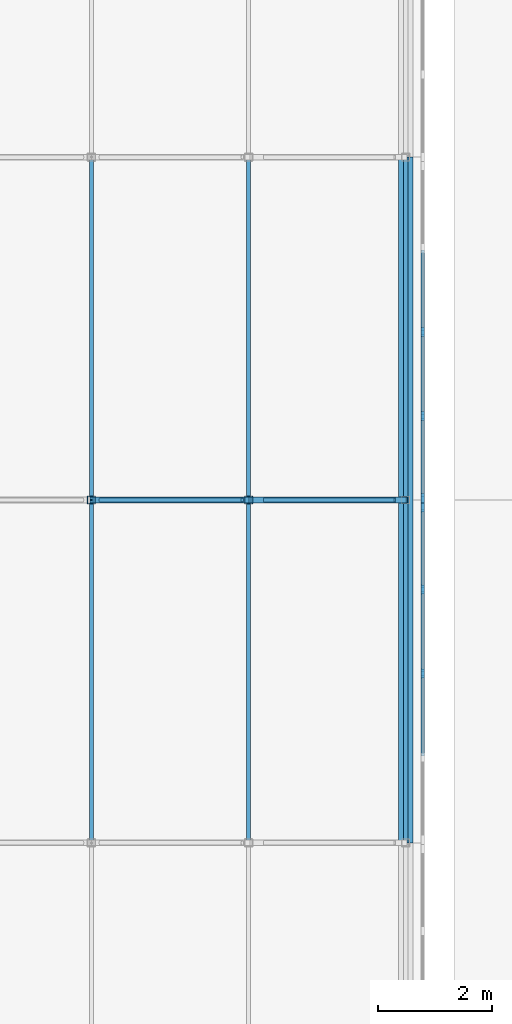
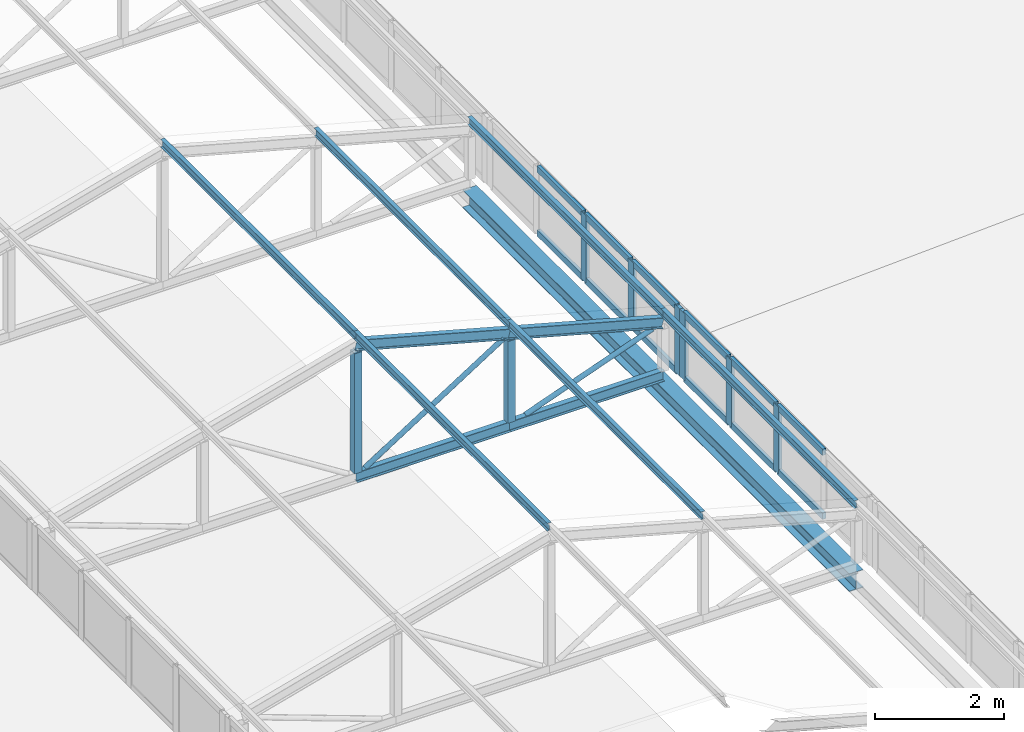
# One storey, part 36 of 94: 32 members, 1 beam, 2 elements without a shape of their own.
"""IFC4 building model written with IfcOpenShell, lengths in metres."""

from ifc_helpers import new_model, si_unit, direction, frame, origin, origin_2d, place, context, subcontext, project, spatial, rectangle, hollow_rectangle, hollow_circle, i_section, extrude, material, layer, layer_set, material_profile, profile_set, type_object, element, aggregate, save


model = new_model("IFC4")

# Units and contexts
model_context = context("Model", 3, precision=1e-05, world=origin(), true_north=direction((0.0, 1.0)))
body_context = subcontext(model_context, "Body", "Model", "MODEL_VIEW")
ifc_project = project(units=[si_unit("LENGTHUNIT", "METRE"), si_unit("AREAUNIT", "SQUARE_METRE"), si_unit("VOLUMEUNIT", "CUBIC_METRE"), si_unit("PLANEANGLEUNIT", "RADIAN"), si_unit("MASSUNIT", "GRAM", prefix="KILO")], contexts=[model_context])

# Site, building, storey
site_placement = place(None, origin())
site = spatial("IfcSite", under=ifc_project, at=site_placement, CompositionType="ELEMENT")
building_placement = place(site_placement, origin())
building = spatial("IfcBuilding", under=site, at=building_placement, Name="Lilac Gate Convention Centre", CompositionType="ELEMENT")
storey_placement = place(building_placement, frame((0.0, 0.0, 21.0)))
storey = spatial("IfcBuildingStorey", under=building, at=storey_placement, Name="L04", CompositionType="ELEMENT", Elevation=21.0)

# Curtain wall, members
ifc_material_1 = material(Name="Aluminium framed double glazing", Category="aluminium")
ifc_layer = layer(ifc_material_1, 0.199951171875)
ifc_layer_set = layer_set([ifc_layer], Name="Aluminium framed double glazing")
curtain_wall_type = type_object("IfcCurtainWallType", Name="Unitised curtain wall 1500", PredefinedType="NOTDEFINED", material=ifc_layer_set)
curtain_wall_1_placement = place(storey_placement, origin())
curtain_wall_1 = element("IfcCurtainWall", 1, at=curtain_wall_1_placement, inside=storey, type_object=curtain_wall_type, Name="Lantern clerestory E 18", PredefinedType="NOTDEFINED")
ifc_material_2 = material(Name="Aluminium alloy 6063", Category="aluminium")
ifc_material_profile_1 = material_profile(ifc_material_2, rectangle(XDim=0.06005859375, YDim=0.159912109375, at=origin_2d()), Name="Curtain wall mullion 60 x 160")
ifc_profile_set_1 = profile_set([ifc_material_profile_1], Name="Aluminium alloy 6063")
member_type_1 = type_object("IfcMemberType", Name="Curtain wall mullion 60 x 160", PredefinedType="MULLION", material=ifc_profile_set_1)
member_1_placement = place(storey_placement, frame((28.89990234375, 134.96240234375, 0.0), z_axis=(0.0, 0.0, 1.0), x_axis=(-1.0, 0.0, 0.0)))
member_1 = element("IfcMember", 2, at=member_1_placement, type_object=member_type_1, Name="CW mullion 3", PredefinedType="MULLION", context=body_context, shape_type="SweptSolid", body=[
    extrude(rectangle(XDim=0.06005859375, YDim=0.159912109375, at=origin_2d()), origin(), (0.0, 0.0, 1.0), 1.272216796875),
])
member_2_placement = place(storey_placement, frame((28.89990234375, 136.43115234375, 0.0), z_axis=(0.0, 0.0, 1.0), x_axis=(-1.0, 0.0, 0.0)))
member_2 = element("IfcMember", 3, at=member_2_placement, type_object=member_type_1, Name="CW mullion 4", PredefinedType="MULLION", context=body_context, shape_type="SweptSolid", body=[
    extrude(rectangle(XDim=0.06005859375, YDim=0.159912109375, at=origin_2d()), origin(), (0.0, 0.0, 1.0), 1.272216796875),
])
member_3_placement = place(storey_placement, frame((28.89990234375, 137.869873046875, 0.0), z_axis=(0.0, 0.0, 1.0), x_axis=(-1.0, 0.0, 0.0)))
member_3 = element("IfcMember", 4, at=member_3_placement, type_object=member_type_1, Name="CW mullion 5", PredefinedType="MULLION", context=body_context, shape_type="SweptSolid", body=[
    extrude(rectangle(XDim=0.06005859375, YDim=0.159912109375, at=origin_2d()), origin(), (0.0, 0.0, 1.0), 1.272216796875),
])

curtain_wall_2_placement = place(storey_placement, origin())
curtain_wall_2 = element("IfcCurtainWall", 5, at=curtain_wall_2_placement, inside=storey, type_object=curtain_wall_type, Name="Lantern clerestory E 19", PredefinedType="NOTDEFINED")
member_4_placement = place(storey_placement, frame((28.89990234375, 138.030029296875, 0.0), z_axis=(0.0, 0.0, 1.0), x_axis=(-1.0, 0.0, 0.0)))
member_4 = element("IfcMember", 6, at=member_4_placement, type_object=member_type_1, Name="CW mullion 1", PredefinedType="MULLION", context=body_context, shape_type="SweptSolid", body=[
    extrude(rectangle(XDim=0.06005859375, YDim=0.159912109375, at=origin_2d()), origin(), (0.0, 0.0, 1.0), 1.272216796875),
])
member_5_placement = place(storey_placement, frame((28.89990234375, 139.46875, 0.0), z_axis=(0.0, 0.0, 1.0), x_axis=(-1.0, 0.0, 0.0)))
member_5 = element("IfcMember", 7, at=member_5_placement, type_object=member_type_1, Name="CW mullion 2", PredefinedType="MULLION", context=body_context, shape_type="SweptSolid", body=[
    extrude(rectangle(XDim=0.06005859375, YDim=0.159912109375, at=origin_2d()), origin(), (0.0, 0.0, 1.0), 1.272216796875),
])
member_6_placement = place(storey_placement, frame((28.89990234375, 140.9375, 0.0), z_axis=(0.0, 0.0, 1.0), x_axis=(-1.0, 0.0, 0.0)))
member_6 = element("IfcMember", 8, at=member_6_placement, type_object=member_type_1, Name="CW mullion 3", PredefinedType="MULLION", context=body_context, shape_type="SweptSolid", body=[
    extrude(rectangle(XDim=0.06005859375, YDim=0.159912109375, at=origin_2d()), origin(), (0.0, 0.0, 1.0), 1.272216796875),
])

# Member
ifc_material_profile_2 = material_profile(ifc_material_2, rectangle(XDim=0.06005859375, YDim=0.1201171875, at=origin_2d()), Name="Curtain wall transom 60 x 120")
ifc_profile_set_2 = profile_set([ifc_material_profile_2], Name="Aluminium alloy 6063")
member_type_2 = type_object("IfcMemberType", Name="Curtain wall transom 60 x 120", PredefinedType="USERDEFINED", material=ifc_profile_set_2)
member_7_placement = place(storey_placement, frame((28.89990234375, 133.523681640625, 0.030029296875), z_axis=(0.0, 1.0, 0.0), x_axis=(-1.0, 0.0, 0.0)))
member_7 = element("IfcMember", 9, at=member_7_placement, type_object=member_type_2, Name="CW transom 2.1", ObjectType="TRANSOM", PredefinedType="USERDEFINED", context=body_context, shape_type="SweptSolid", body=[
    extrude(rectangle(XDim=0.06005859375, YDim=0.1201171875, at=origin_2d()), origin(), (0.0, 0.0, 1.0), 1.40869140625),
])

member_8_placement = place(storey_placement, frame((28.89990234375, 133.523681640625, 1.2421875), z_axis=(0.0, 1.0, 0.0), x_axis=(-1.0, 0.0, 0.0)))
member_8 = element("IfcMember", 10, at=member_8_placement, type_object=member_type_2, Name="CW transom 2.2", ObjectType="TRANSOM", PredefinedType="USERDEFINED", context=body_context, shape_type="SweptSolid", body=[
    extrude(rectangle(XDim=0.06005859375, YDim=0.1201171875, at=origin_2d()), origin(), (0.0, 0.0, 1.0), 1.40869140625),
])

member_9_placement = place(storey_placement, frame((28.89990234375, 134.992431640625, 0.030029296875), z_axis=(0.0, 1.0, 0.0), x_axis=(-1.0, 0.0, 0.0)))
member_9 = element("IfcMember", 11, at=member_9_placement, type_object=member_type_2, Name="CW transom 3.1", ObjectType="TRANSOM", PredefinedType="USERDEFINED", context=body_context, shape_type="SweptSolid", body=[
    extrude(rectangle(XDim=0.06005859375, YDim=0.1201171875, at=origin_2d()), origin(), (0.0, 0.0, 1.0), 1.40869140625),
])

member_10_placement = place(storey_placement, frame((28.89990234375, 134.992431640625, 1.2421875), z_axis=(0.0, 1.0, 0.0), x_axis=(-1.0, 0.0, 0.0)))
member_10 = element("IfcMember", 12, at=member_10_placement, type_object=member_type_2, Name="CW transom 3.2", ObjectType="TRANSOM", PredefinedType="USERDEFINED", context=body_context, shape_type="SweptSolid", body=[
    extrude(rectangle(XDim=0.06005859375, YDim=0.1201171875, at=origin_2d()), origin(), (0.0, 0.0, 1.0), 1.40869140625),
])

member_11_placement = place(storey_placement, frame((28.89990234375, 136.461181640625, 0.030029296875), z_axis=(0.0, 1.0, 0.0), x_axis=(-1.0, 0.0, 0.0)))
member_11 = element("IfcMember", 13, at=member_11_placement, type_object=member_type_2, Name="CW transom 4.1", ObjectType="TRANSOM", PredefinedType="USERDEFINED", context=body_context, shape_type="SweptSolid", body=[
    extrude(rectangle(XDim=0.06005859375, YDim=0.1201171875, at=origin_2d()), origin(), (0.0, 0.0, 1.0), 1.378662109375),
])

member_12_placement = place(storey_placement, frame((28.89990234375, 136.461181640625, 1.2421875), z_axis=(0.0, 1.0, 0.0), x_axis=(-1.0, 0.0, 0.0)))
member_12 = element("IfcMember", 14, at=member_12_placement, type_object=member_type_2, Name="CW transom 4.2", ObjectType="TRANSOM", PredefinedType="USERDEFINED", context=body_context, shape_type="SweptSolid", body=[
    extrude(rectangle(XDim=0.06005859375, YDim=0.1201171875, at=origin_2d()), origin(), (0.0, 0.0, 1.0), 1.378662109375),
])

aggregate(curtain_wall_1, [member_1, member_2, member_3, member_7, member_8, member_9, member_10, member_11, member_12])

member_13_placement = place(storey_placement, frame((28.89990234375, 138.06005859375, 0.030029296875), z_axis=(0.0, 1.0, 0.0), x_axis=(-1.0, 0.0, 0.0)))
member_13 = element("IfcMember", 15, at=member_13_placement, type_object=member_type_2, Name="CW transom 1.1", ObjectType="TRANSOM", PredefinedType="USERDEFINED", context=body_context, shape_type="SweptSolid", body=[
    extrude(rectangle(XDim=0.06005859375, YDim=0.1201171875, at=origin_2d()), origin(), (0.0, 0.0, 1.0), 1.378662109375),
])

member_14_placement = place(storey_placement, frame((28.89990234375, 138.06005859375, 1.2421875), z_axis=(0.0, 1.0, 0.0), x_axis=(-1.0, 0.0, 0.0)))
member_14 = element("IfcMember", 16, at=member_14_placement, type_object=member_type_2, Name="CW transom 1.2", ObjectType="TRANSOM", PredefinedType="USERDEFINED", context=body_context, shape_type="SweptSolid", body=[
    extrude(rectangle(XDim=0.06005859375, YDim=0.1201171875, at=origin_2d()), origin(), (0.0, 0.0, 1.0), 1.378662109375),
])

member_15_placement = place(storey_placement, frame((28.89990234375, 139.498779296875, 0.030029296875), z_axis=(0.0, 1.0, 0.0), x_axis=(-1.0, 0.0, 0.0)))
member_15 = element("IfcMember", 17, at=member_15_placement, type_object=member_type_2, Name="CW transom 2.1", ObjectType="TRANSOM", PredefinedType="USERDEFINED", context=body_context, shape_type="SweptSolid", body=[
    extrude(rectangle(XDim=0.06005859375, YDim=0.1201171875, at=origin_2d()), origin(), (0.0, 0.0, 1.0), 1.40869140625),
])

member_16_placement = place(storey_placement, frame((28.89990234375, 139.498779296875, 1.2421875), z_axis=(0.0, 1.0, 0.0), x_axis=(-1.0, 0.0, 0.0)))
member_16 = element("IfcMember", 18, at=member_16_placement, type_object=member_type_2, Name="CW transom 2.2", ObjectType="TRANSOM", PredefinedType="USERDEFINED", context=body_context, shape_type="SweptSolid", body=[
    extrude(rectangle(XDim=0.06005859375, YDim=0.1201171875, at=origin_2d()), origin(), (0.0, 0.0, 1.0), 1.40869140625),
])

member_17_placement = place(storey_placement, frame((28.89990234375, 140.967529296875, 0.030029296875), z_axis=(0.0, 1.0, 0.0), x_axis=(-1.0, 0.0, 0.0)))
member_17 = element("IfcMember", 19, at=member_17_placement, type_object=member_type_2, Name="CW transom 3.1", ObjectType="TRANSOM", PredefinedType="USERDEFINED", context=body_context, shape_type="SweptSolid", body=[
    extrude(rectangle(XDim=0.06005859375, YDim=0.1201171875, at=origin_2d()), origin(), (0.0, 0.0, 1.0), 1.40869140625),
])

member_18_placement = place(storey_placement, frame((28.89990234375, 140.967529296875, 1.2421875), z_axis=(0.0, 1.0, 0.0), x_axis=(-1.0, 0.0, 0.0)))
member_18 = element("IfcMember", 20, at=member_18_placement, type_object=member_type_2, Name="CW transom 3.2", ObjectType="TRANSOM", PredefinedType="USERDEFINED", context=body_context, shape_type="SweptSolid", body=[
    extrude(rectangle(XDim=0.06005859375, YDim=0.1201171875, at=origin_2d()), origin(), (0.0, 0.0, 1.0), 1.40869140625),
])

aggregate(curtain_wall_2, [member_4, member_5, member_6, member_13, member_14, member_15, member_16, member_17, member_18])

# Members
ifc_material_3 = material(Name="Steel Q355B", Category="steel")
ifc_material_profile_3 = material_profile(ifc_material_3, i_section(OverallWidth=0.10009765625, OverallDepth=0.199951171875, WebThickness=0.005615234375, FlangeThickness=0.008056640625, FilletRadius=0.008056640625, at=origin_2d()), Name="HN200x100x5.5x8")
ifc_profile_set_3 = profile_set([ifc_material_profile_3], Name="Steel Q355B")
member_type_3 = type_object("IfcMemberType", Name="Lantern bottom chord HN200x100x5.5x8", PredefinedType="CHORD", material=ifc_profile_set_3)
for number, where, z_axis, x_axis, name in (
    (21, (23.10009765625, 138.0, 0.10009765625), (1.0, 0.0, 0.0), (0.0, 1.0, 0.0), "LB1 lantern truss 19 bottom chord 3"),
    (22, (25.85009765625, 138.0, 0.10009765625), (1.0, 0.0, 0.0), (0.0, 1.0, 0.0), "LB1 lantern truss 19 bottom chord 4"),
):
    element("IfcMember", number, at=place(storey_placement, frame(where, z_axis=z_axis, x_axis=x_axis)), inside=storey, type_object=member_type_3, Name=name, PredefinedType="CHORD", context=body_context, shape_type="SweptSolid", body=[
        extrude(i_section(OverallWidth=0.10009765625, OverallDepth=0.199951171875, WebThickness=0.005615234375, FlangeThickness=0.008056640625, FilletRadius=0.008056640625, at=origin_2d()), origin(), (0.0, 0.0, 1.0), 2.75),
    ])
ifc_material_profile_4 = material_profile(ifc_material_3, hollow_circle(Radius=0.04443359375, WallThickness=0.0048828125, at=origin_2d()), Name="CHS88.9x5")
ifc_profile_set_4 = profile_set([ifc_material_profile_4], Name="Steel Q355B")
member_type_4 = type_object("IfcMemberType", Name="Lantern diagonal CHS88.9x5", PredefinedType="BRACE", material=ifc_profile_set_4)
member_19_placement = place(storey_placement, frame((25.74169921875, 138.0, 1.781005859375), z_axis=(-0.843671728148, 0.0, -0.536859399773), x_axis=(0.0, -1.0, 0.0)))
element("IfcMember", 23, at=member_19_placement, inside=storey, type_object=member_type_4, Name="LW1 lantern truss 19 diagonal 3", PredefinedType="BRACE", context=body_context, shape_type="SweptSolid", body=[
    extrude(hollow_circle(Radius=0.04443359375, WallThickness=0.0048828125, at=origin_2d()), origin(), (0.0, 0.0, 1.0), 2.945068359375),
])
member_20_placement = place(storey_placement, frame((28.410400390625, 138.0, 1.031005859375), z_axis=(-0.939793423488, 0.0, -0.341743063087), x_axis=(0.0, -1.0, 0.0)))
element("IfcMember", 24, at=member_20_placement, inside=storey, type_object=member_type_4, Name="LW1 lantern truss 19 diagonal 4", PredefinedType="BRACE", context=body_context, shape_type="SweptSolid", body=[
    extrude(hollow_circle(Radius=0.04443359375, WallThickness=0.0048828125, at=origin_2d()), origin(), (0.0, 0.0, 1.0), 2.431884765625),
])
ifc_material_profile_5 = material_profile(ifc_material_3, hollow_rectangle(XDim=0.139892578125, YDim=0.139892578125, WallThickness=0.0048828125, InnerFilletRadius=0.0048828125, OuterFilletRadius=0.010009765625, at=origin_2d()), Name="SHS140x140x5")
ifc_profile_set_5 = profile_set([ifc_material_profile_5], Name="Steel Q355B")
member_type_5 = type_object("IfcMemberType", Name="Lantern post SHS140x140x5", PredefinedType="STRUT", material=ifc_profile_set_5)
member_21_placement = place(storey_placement, frame((23.10009765625, 138.0, 0.199951171875), z_axis=(0.0, 0.0, 1.0), x_axis=(1.0, 0.0, 0.0)))
element("IfcMember", 25, at=member_21_placement, inside=storey, type_object=member_type_5, Name="LV1 lantern truss 19 post 3", PredefinedType="STRUT", context=body_context, shape_type="SweptSolid", body=[
    extrude(hollow_rectangle(XDim=0.139892578125, YDim=0.139892578125, WallThickness=0.0048828125, InnerFilletRadius=0.0048828125, OuterFilletRadius=0.010009765625, at=origin_2d()), origin(), (0.0, 0.0, 1.0), 2.277099609375),
])
member_22_placement = place(storey_placement, frame((25.85009765625, 138.0, 0.199951171875), z_axis=(0.0, 0.0, 1.0), x_axis=(1.0, 0.0, 0.0)))
element("IfcMember", 26, at=member_22_placement, inside=storey, type_object=member_type_5, Name="LV1 lantern truss 19 post 4", PredefinedType="STRUT", context=body_context, shape_type="SweptSolid", body=[
    extrude(hollow_rectangle(XDim=0.139892578125, YDim=0.139892578125, WallThickness=0.0048828125, InnerFilletRadius=0.0048828125, OuterFilletRadius=0.010009765625, at=origin_2d()), origin(), (0.0, 0.0, 1.0), 1.546142578125),
])
ifc_material_profile_6 = material_profile(ifc_material_3, i_section(OverallWidth=0.074951171875, OverallDepth=0.14990234375, WebThickness=0.0048828125, FlangeThickness=0.007080078125, FilletRadius=0.008056640625, at=origin_2d()), Name="HN150x75x5x7")
ifc_profile_set_6 = profile_set([ifc_material_profile_6], Name="Steel Q355B")
member_type_6 = type_object("IfcMemberType", Name="Lantern purlin HN150x75x5x7", PredefinedType="PURLIN", material=ifc_profile_set_6)
for number, where, z_axis, x_axis, name in (
    (27, (23.10009765625, 132.0, 2.779052734375), (0.0, 1.0, 0.0), (-1.0, 0.0, 0.0), "LP1 lantern purlin bay 18 line 3"),
    (28, (23.10009765625, 138.0, 2.779052734375), (0.0, 1.0, 0.0), (-1.0, 0.0, 0.0), "LP1 lantern purlin bay 19 line 3"),
    (29, (25.85009765625, 132.0, 2.029052734375), (0.0, 1.0, 0.0), (-1.0, 0.0, 0.0), "LP1 lantern purlin bay 18 line 4"),
    (30, (25.85009765625, 138.0, 2.029052734375), (0.0, 1.0, 0.0), (-1.0, 0.0, 0.0), "LP1 lantern purlin bay 19 line 4"),
    (31, (28.60009765625, 132.0, 1.279052734375), (0.0, 1.0, 0.0), (-1.0, 0.0, 0.0), "LP1 lantern purlin bay 18 line 5"),
    (32, (28.60009765625, 138.0, 1.279052734375), (0.0, 1.0, 0.0), (-1.0, 0.0, 0.0), "LP1 lantern purlin bay 19 line 5"),
):
    element("IfcMember", number, at=place(storey_placement, frame(where, z_axis=z_axis, x_axis=x_axis)), inside=storey, type_object=member_type_6, Name=name, PredefinedType="PURLIN", context=body_context, shape_type="SweptSolid", body=[
        extrude(i_section(OverallWidth=0.074951171875, OverallDepth=0.14990234375, WebThickness=0.0048828125, FlangeThickness=0.007080078125, FilletRadius=0.008056640625, at=origin_2d()), origin(), (0.0, 0.0, 1.0), 6.0),
    ])
ifc_material_profile_7 = material_profile(ifc_material_3, i_section(OverallWidth=0.10009765625, OverallDepth=0.199951171875, WebThickness=0.005615234375, FlangeThickness=0.008056640625, FilletRadius=0.008056640625, at=origin_2d()), Name="HN200x100x5.5x8")
ifc_profile_set_7 = profile_set([ifc_material_profile_7], Name="Steel Q355B")
member_type_7 = type_object("IfcMemberType", Name="Lantern top chord HN200x100x5.5x8", PredefinedType="CHORD", material=ifc_profile_set_7)
for number, where, z_axis, x_axis, name in (
    (33, (23.10009765625, 138.0, 2.60009765625), (0.964763821238, 0.0, -0.263117405792), (0.0, 1.0, 0.0), "LT1 lantern truss 19 top chord 3"),
    (34, (25.85009765625, 138.0, 1.85009765625), (0.964763821238, 0.0, -0.263117405792), (0.0, 1.0, 0.0), "LT1 lantern truss 19 top chord 4"),
):
    element("IfcMember", number, at=place(storey_placement, frame(where, z_axis=z_axis, x_axis=x_axis)), inside=storey, type_object=member_type_7, Name=name, PredefinedType="CHORD", context=body_context, shape_type="SweptSolid", body=[
        extrude(i_section(OverallWidth=0.10009765625, OverallDepth=0.199951171875, WebThickness=0.005615234375, FlangeThickness=0.008056640625, FilletRadius=0.008056640625, at=origin_2d()), origin(), (0.0, 0.0, 1.0), 2.850341796875),
    ])

# Beam
ifc_material_profile_8 = material_profile(ifc_material_3, i_section(OverallWidth=0.25, OverallDepth=0.340087890625, WebThickness=0.009033203125, FlangeThickness=0.013916015625, FilletRadius=0.012939453125, at=origin_2d()), Name="HM340x250x9x14")
ifc_profile_set_8 = profile_set([ifc_material_profile_8], Name="Steel Q355B")
beam_type = type_object("IfcBeamType", Name="Steel edge beam HM340x250x9x14", PredefinedType="BEAM", material=ifc_profile_set_8)
beam_placement = place(storey_placement, frame((28.60009765625, 132.0, -0.169921875), z_axis=(0.0, 1.0, 0.0), x_axis=(-1.0, 0.0, 0.0)))
element("IfcBeam", 35, at=beam_placement, inside=storey, type_object=beam_type, Name="LE1 lantern edge beam 10", PredefinedType="BEAM", context=body_context, shape_type="SweptSolid", body=[
    extrude(i_section(OverallWidth=0.25, OverallDepth=0.340087890625, WebThickness=0.009033203125, FlangeThickness=0.013916015625, FilletRadius=0.012939453125, at=origin_2d()), origin(), (0.0, 0.0, 1.0), 12.0),
])

save(model, "model.ifc")
